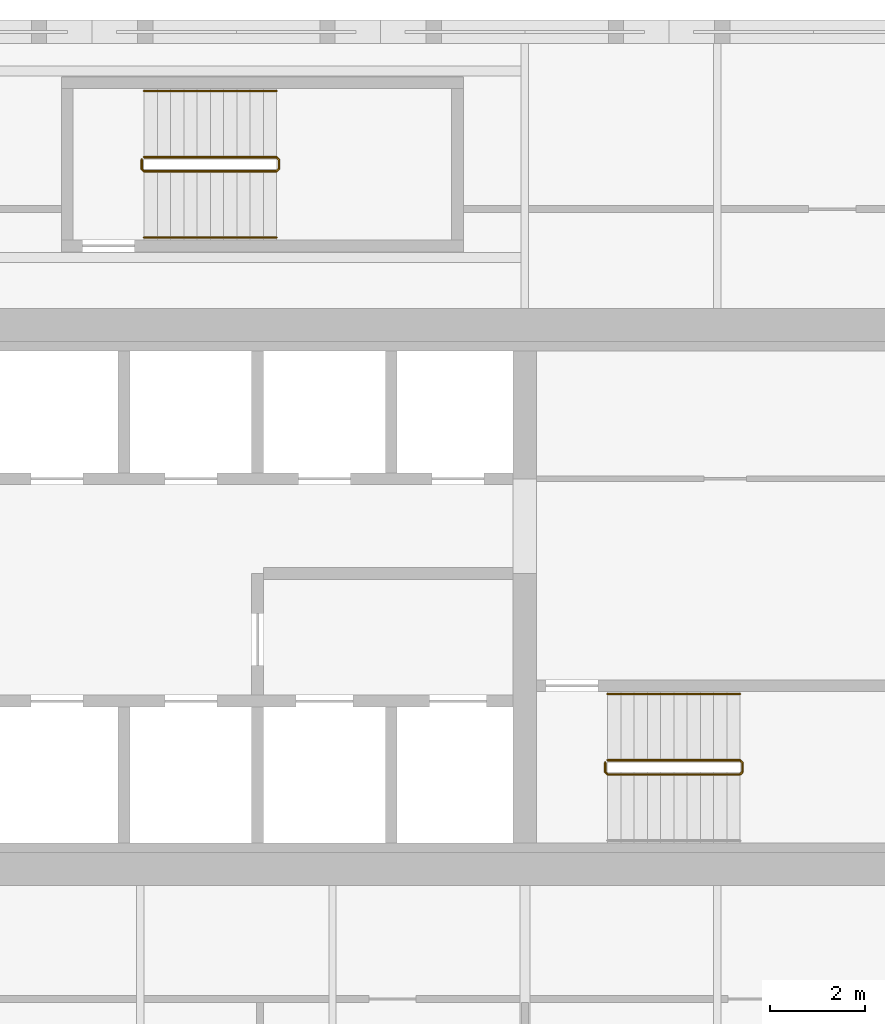
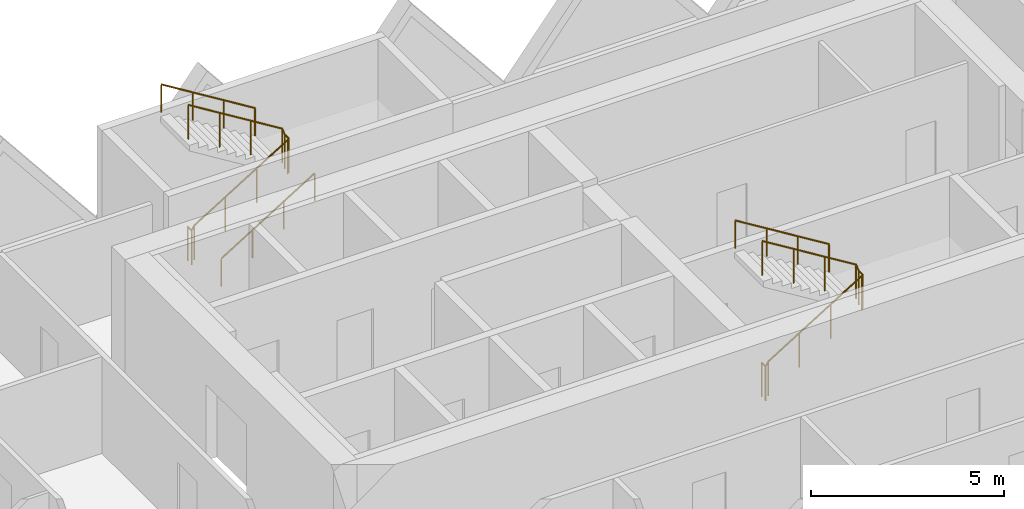
# One storey, part 19 of 19: 5 railings.
"""IFC4 building model written with IfcOpenShell, lengths in metres."""

from ifc_helpers import new_model, si_unit, direction, frame, origin, origin_2d, place, context, subcontext, project, spatial, circle, extrude, material, type_object, element, save


model = new_model("IFC4")

# Units and contexts
model_context = context("Model", 3, precision=1e-05, world=origin(), true_north=direction((0.0, 1.0)))
body_context = subcontext(model_context, "Body", "Model", "MODEL_VIEW")
ifc_project = project(units=[si_unit("LENGTHUNIT", "METRE"), si_unit("AREAUNIT", "SQUARE_METRE"), si_unit("VOLUMEUNIT", "CUBIC_METRE"), si_unit("PLANEANGLEUNIT", "RADIAN"), si_unit("MASSUNIT", "GRAM", prefix="KILO")], contexts=[model_context])

# Site, building, storey
site_placement = place(None, origin())
site = spatial("IfcSite", under=ifc_project, at=site_placement, CompositionType="ELEMENT")
building_placement = place(site_placement, origin())
building = spatial("IfcBuilding", under=site, at=building_placement, Name="Tessera Gate Towers", CompositionType="ELEMENT")
storey_placement = place(building_placement, frame((0.0, 0.0, 25.800048828125)))
storey = spatial("IfcBuildingStorey", under=building, at=storey_placement, Name="L05", CompositionType="ELEMENT", Elevation=25.800048828125)

# Railings
ifc_material_1 = material(Name="Steel 350W", Category="steel")
railing_type_1 = type_object("IfcRailingType", Name="STAIR GUARD 1100", PredefinedType="GUARDRAIL", material=ifc_material_1)
railing_1_placement = place(storey_placement, frame((111.5, 39.199951171875, 0.0)))
element("IfcRailing", 1, at=railing_1_placement, inside=storey, type_object=railing_type_1, Name="L05 ST6 stair guard 1", PredefinedType="GUARDRAIL", context=body_context, shape_type="SweptSolid", body=[
    extrude(circle(Radius=0.02392578125, at=origin_2d()), frame((0.0, 0.0, 1.076171875), z_axis=(0.0, -1.0, 0.0), x_axis=(1.0, 0.0, 0.0)), (0.0, 0.0, 1.0), 0.199951171875),
    extrude(circle(Radius=0.02392578125, at=origin_2d()), frame((0.0, -0.199951171875, 1.076171875), z_axis=(0.268277960024, -0.268277960024, 0.925231793839), x_axis=(0.707106781187, 0.707106781187, 0.0)), (0.0, 0.0, 1.0), 0.1865234375),
    extrude(circle(Radius=0.02392578125, at=origin_2d()), frame((0.050048828125, -0.25, 1.24853515625), z_axis=(0.851089632645, 0.0, 0.525020415988), x_axis=(0.0, 1.0, 0.0)), (0.0, 0.0, 1.0), 3.2900390625),
    extrude(circle(Radius=0.02392578125, at=origin_2d()), frame((2.85009765625, -0.25, 2.97607421875), z_axis=(0.705375805398, 0.708833529934, 0.0), x_axis=(-0.708833529934, 0.705375805398, 0.0)), (0.0, 0.0, 1.0), 0.070556640625),
    extrude(circle(Radius=0.02392578125, at=origin_2d()), frame((2.89990234375, -0.199951171875, 2.97607421875), z_axis=(0.0, 1.0, 0.0), x_axis=(-1.0, 0.0, 0.0)), (0.0, 0.0, 1.0), 0.199951171875),
    extrude(circle(Radius=0.02392578125, at=origin_2d()), frame((2.89990234375, 0.0, 2.97607421875), z_axis=(-0.266739603011, 0.268047150085, 0.925743328097), x_axis=(-0.708833529934, -0.705375805398, 0.0)), (0.0, 0.0, 1.0), 0.186767578125),
    extrude(circle(Radius=0.02392578125, at=origin_2d()), frame((2.85009765625, 0.050048828125, 3.14892578125), z_axis=(-0.851089632645, 0.0, 0.525020415988), x_axis=(0.0, -1.0, 0.0)), (0.0, 0.0, 1.0), 3.2900390625),
    extrude(circle(Radius=0.02099609375, at=origin_2d()), origin(), (0.0, 0.0, 1.0), 1.052001953125),
    extrude(circle(Radius=0.02099609375, at=origin_2d()), frame((0.0, -0.199951171875, 0.0)), (0.0, 0.0, 1.0), 1.052001953125),
    extrude(circle(Radius=0.02099609375, at=origin_2d()), frame((0.050048828125, -0.25, 0.172607421875)), (0.0, 0.0, 1.0), 1.052001953125),
    extrude(circle(Radius=0.02099609375, at=origin_2d()), frame((0.9833984375, -0.25, 0.748291015625)), (0.0, 0.0, 1.0), 1.052001953125),
    extrude(circle(Radius=0.02099609375, at=origin_2d()), frame((1.916748046875, -0.25, 1.32421875)), (0.0, 0.0, 1.0), 1.052001953125),
    extrude(circle(Radius=0.02099609375, at=origin_2d()), frame((2.85009765625, -0.25, 1.89990234375)), (0.0, 0.0, 1.0), 1.052001953125),
    extrude(circle(Radius=0.02099609375, at=origin_2d()), frame((2.89990234375, -0.199951171875, 1.89990234375)), (0.0, 0.0, 1.0), 1.052001953125),
    extrude(circle(Radius=0.02099609375, at=origin_2d()), frame((2.89990234375, 0.0, 1.89990234375)), (0.0, 0.0, 1.0), 1.052001953125),
    extrude(circle(Radius=0.02099609375, at=origin_2d()), frame((2.85009765625, 0.050048828125, 2.07275390625)), (0.0, 0.0, 1.0), 1.052001953125),
    extrude(circle(Radius=0.02099609375, at=origin_2d()), frame((1.916748046875, 0.050048828125, 2.6484375)), (0.0, 0.0, 1.0), 1.052001953125),
    extrude(circle(Radius=0.02099609375, at=origin_2d()), frame((0.9833984375, 0.050048828125, 3.224365234375)), (0.0, 0.0, 1.0), 1.052001953125),
    extrude(circle(Radius=0.02099609375, at=origin_2d()), frame((0.050048828125, 0.050048828125, 3.800048828125)), (0.0, 0.0, 1.0), 1.052001953125),
])
railing_2_placement = place(storey_placement, frame((101.699951171875, 51.949951171875, 0.0)))
element("IfcRailing", 2, at=railing_2_placement, inside=storey, type_object=railing_type_1, Name="L05 ST7 stair guard 1", PredefinedType="GUARDRAIL", context=body_context, shape_type="SweptSolid", body=[
    extrude(circle(Radius=0.02392578125, at=origin_2d()), frame((0.0, 0.0, 1.076171875), z_axis=(0.0, -1.0, 0.0), x_axis=(1.0, 0.0, 0.0)), (0.0, 0.0, 1.0), 0.199951171875),
    extrude(circle(Radius=0.02392578125, at=origin_2d()), frame((0.0, -0.199951171875, 1.076171875), z_axis=(0.268277960024, -0.268277960024, 0.925231793839), x_axis=(0.707106781187, 0.707106781187, 0.0)), (0.0, 0.0, 1.0), 0.1865234375),
    extrude(circle(Radius=0.02392578125, at=origin_2d()), frame((0.050048828125, -0.25, 1.24853515625), z_axis=(0.851089632645, 0.0, 0.525020415988), x_axis=(0.0, 1.0, 0.0)), (0.0, 0.0, 1.0), 3.2900390625),
    extrude(circle(Radius=0.02392578125, at=origin_2d()), frame((2.85009765625, -0.25, 2.97607421875), z_axis=(0.707106781187, 0.707106781187, 0.0), x_axis=(-0.707106781187, 0.707106781187, 0.0)), (0.0, 0.0, 1.0), 0.07080078125),
    extrude(circle(Radius=0.02392578125, at=origin_2d()), frame((2.900146484375, -0.199951171875, 2.97607421875), z_axis=(0.0, 1.0, 0.0), x_axis=(-1.0, 0.0, 0.0)), (0.0, 0.0, 1.0), 0.199951171875),
    extrude(circle(Radius=0.02392578125, at=origin_2d()), frame((2.900146484375, 0.0, 2.97607421875), z_axis=(-0.267953482034, 0.267953482034, 0.925419830635), x_axis=(-0.707106781187, -0.707106781187, 0.0)), (0.0, 0.0, 1.0), 0.186767578125),
    extrude(circle(Radius=0.02392578125, at=origin_2d()), frame((2.85009765625, 0.050048828125, 3.14892578125), z_axis=(-0.851089632645, 0.0, 0.525020415988), x_axis=(0.0, -1.0, 0.0)), (0.0, 0.0, 1.0), 3.2900390625),
    extrude(circle(Radius=0.02099609375, at=origin_2d()), origin(), (0.0, 0.0, 1.0), 1.052001953125),
    extrude(circle(Radius=0.02099609375, at=origin_2d()), frame((0.0, -0.199951171875, 0.0)), (0.0, 0.0, 1.0), 1.052001953125),
    extrude(circle(Radius=0.02099609375, at=origin_2d()), frame((0.050048828125, -0.25, 0.172607421875)), (0.0, 0.0, 1.0), 1.052001953125),
    extrude(circle(Radius=0.02099609375, at=origin_2d()), frame((0.9833984375, -0.25, 0.748291015625)), (0.0, 0.0, 1.0), 1.052001953125),
    extrude(circle(Radius=0.02099609375, at=origin_2d()), frame((1.916748046875, -0.25, 1.32421875)), (0.0, 0.0, 1.0), 1.052001953125),
    extrude(circle(Radius=0.02099609375, at=origin_2d()), frame((2.85009765625, -0.25, 1.89990234375)), (0.0, 0.0, 1.0), 1.052001953125),
    extrude(circle(Radius=0.02099609375, at=origin_2d()), frame((2.900146484375, -0.199951171875, 1.89990234375)), (0.0, 0.0, 1.0), 1.052001953125),
    extrude(circle(Radius=0.02099609375, at=origin_2d()), frame((2.900146484375, 0.0, 1.89990234375)), (0.0, 0.0, 1.0), 1.052001953125),
    extrude(circle(Radius=0.02099609375, at=origin_2d()), frame((2.85009765625, 0.050048828125, 2.07275390625)), (0.0, 0.0, 1.0), 1.052001953125),
    extrude(circle(Radius=0.02099609375, at=origin_2d()), frame((1.916748046875, 0.050048828125, 2.6484375)), (0.0, 0.0, 1.0), 1.052001953125),
    extrude(circle(Radius=0.02099609375, at=origin_2d()), frame((0.9833984375, 0.050048828125, 3.224365234375)), (0.0, 0.0, 1.0), 1.052001953125),
    extrude(circle(Radius=0.02099609375, at=origin_2d()), frame((0.050048828125, 0.050048828125, 3.800048828125)), (0.0, 0.0, 1.0), 1.052001953125),
])
ifc_material_2 = material(Name="Steel 350W", Category="steel")
railing_type_2 = type_object("IfcRailingType", Name="STAIR HANDRAIL 900", PredefinedType="HANDRAIL", material=ifc_material_2)
railing_3_placement = place(storey_placement, frame((114.35009765625, 40.64990234375, 2.07275390625)))
element("IfcRailing", 3, at=railing_3_placement, inside=storey, type_object=railing_type_2, Name="L05 ST6 stair handrail 2", PredefinedType="HANDRAIL", context=body_context, shape_type="SweptSolid", body=[
    extrude(circle(Radius=0.02392578125, at=origin_2d()), frame((0.0, 0.0, 0.8759765625), z_axis=(-0.851089632645, 0.0, 0.525020415988), x_axis=(0.0, -1.0, 0.0)), (0.0, 0.0, 1.0), 3.2900390625),
    extrude(circle(Radius=0.02099609375, at=origin_2d()), origin(), (0.0, 0.0, 1.0), 0.851806640625),
    extrude(circle(Radius=0.02099609375, at=origin_2d()), frame((-0.933349609375, 0.0, 0.57568359375)), (0.0, 0.0, 1.0), 0.851806640625),
    extrude(circle(Radius=0.02099609375, at=origin_2d()), frame((-1.86669921875, 0.0, 1.151611328125)), (0.0, 0.0, 1.0), 0.851806640625),
    extrude(circle(Radius=0.02099609375, at=origin_2d()), frame((-2.800048828125, 0.0, 1.727294921875)), (0.0, 0.0, 1.0), 0.851806640625),
])
railing_4_placement = place(storey_placement, frame((101.75, 50.300048828125, 0.172607421875)))
element("IfcRailing", 4, at=railing_4_placement, inside=storey, type_object=railing_type_2, Name="L05 ST7 stair handrail 1", PredefinedType="HANDRAIL", context=body_context, shape_type="SweptSolid", body=[
    extrude(circle(Radius=0.02392578125, at=origin_2d()), frame((0.0, 0.0, 0.8759765625), z_axis=(0.851089632645, 0.0, 0.525020415988), x_axis=(0.0, 1.0, 0.0)), (0.0, 0.0, 1.0), 3.2900390625),
    extrude(circle(Radius=0.02099609375, at=origin_2d()), origin(), (0.0, 0.0, 1.0), 0.851806640625),
    extrude(circle(Radius=0.02099609375, at=origin_2d()), frame((0.933349609375, 0.0, 0.57568359375)), (0.0, 0.0, 1.0), 0.851806640625),
    extrude(circle(Radius=0.02099609375, at=origin_2d()), frame((1.86669921875, 0.0, 1.151611328125)), (0.0, 0.0, 1.0), 0.851806640625),
    extrude(circle(Radius=0.02099609375, at=origin_2d()), frame((2.800048828125, 0.0, 1.727294921875)), (0.0, 0.0, 1.0), 0.851806640625),
])
railing_5_placement = place(storey_placement, frame((104.550048828125, 53.39990234375, 2.07275390625)))
element("IfcRailing", 5, at=railing_5_placement, inside=storey, type_object=railing_type_2, Name="L05 ST7 stair handrail 2", PredefinedType="HANDRAIL", context=body_context, shape_type="SweptSolid", body=[
    extrude(circle(Radius=0.02392578125, at=origin_2d()), frame((0.0, 0.0, 0.8759765625), z_axis=(-0.851089632645, 0.0, 0.525020415988), x_axis=(0.0, -1.0, 0.0)), (0.0, 0.0, 1.0), 3.2900390625),
    extrude(circle(Radius=0.02099609375, at=origin_2d()), origin(), (0.0, 0.0, 1.0), 0.851806640625),
    extrude(circle(Radius=0.02099609375, at=origin_2d()), frame((-0.933349609375, 0.0, 0.57568359375)), (0.0, 0.0, 1.0), 0.851806640625),
    extrude(circle(Radius=0.02099609375, at=origin_2d()), frame((-1.86669921875, 0.0, 1.151611328125)), (0.0, 0.0, 1.0), 0.851806640625),
    extrude(circle(Radius=0.02099609375, at=origin_2d()), frame((-2.800048828125, 0.0, 1.727294921875)), (0.0, 0.0, 1.0), 0.851806640625),
])

save(model, "model.ifc")
